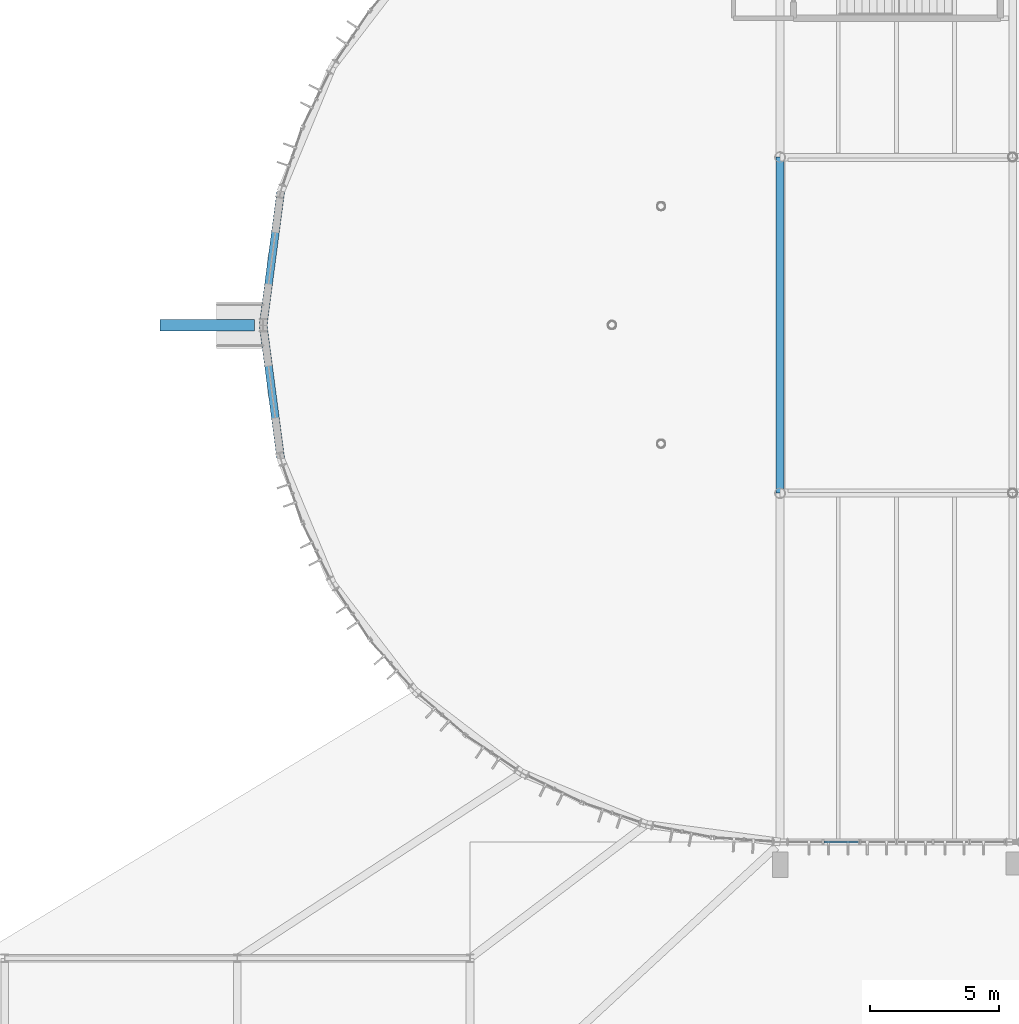
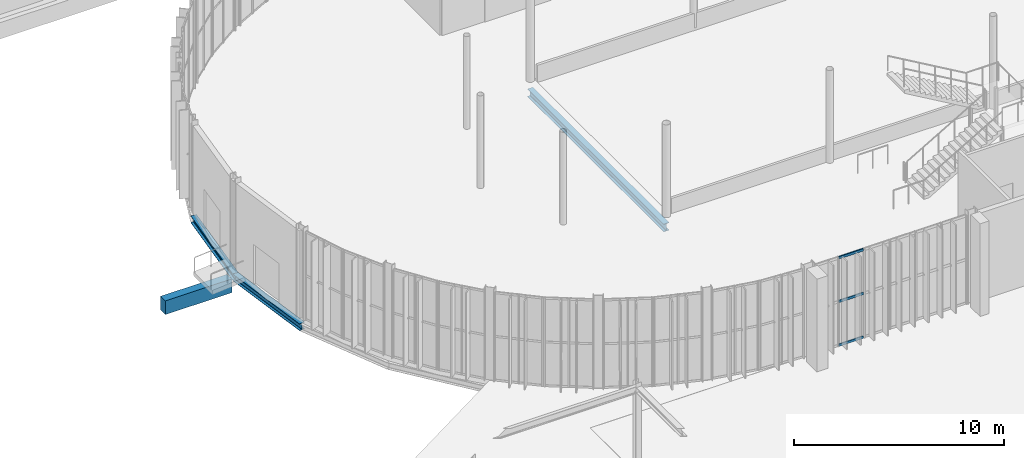
# One storey, part 36 of 158: 4 beams, 3 members, 1 element without a shape of its own.
"""IFC4 building model written with IfcOpenShell, lengths in metres."""

from ifc_helpers import new_model, si_unit, derived_unit, direction, frame, origin, origin_2d, place, context, subcontext, project, spatial, rectangle, hollow_rectangle, i_section, extrude, material, material_profile, profile_set, type_object, element, aggregate, save


model = new_model("IFC4")

# Units and contexts
model_context = context("Model", 3, precision=1e-05, world=origin(), true_north=direction((0.0, 1.0)))
body_context = subcontext(model_context, "Body", "Model", "MODEL_VIEW")
ifc_project = project(units=[si_unit("LENGTHUNIT", "METRE"), si_unit("AREAUNIT", "SQUARE_METRE"), si_unit("VOLUMEUNIT", "CUBIC_METRE"), si_unit("PLANEANGLEUNIT", "RADIAN"), si_unit("MASSUNIT", "GRAM", prefix="KILO"), si_unit("THERMODYNAMICTEMPERATUREUNIT", "KELVIN"), si_unit("TIMEUNIT", "SECOND"), derived_unit("THERMALTRANSMITTANCEUNIT", [(si_unit("MASSUNIT", "GRAM", prefix="KILO"), 1), (si_unit("THERMODYNAMICTEMPERATUREUNIT", "KELVIN"), -1), (si_unit("TIMEUNIT", "SECOND"), -3)])], contexts=[model_context])

# Site, building, storey
site_placement = place(None, origin())
site = spatial("IfcSite", under=ifc_project, at=site_placement, CompositionType="ELEMENT")
building_placement = place(site_placement, origin())
building = spatial("IfcBuilding", under=site, at=building_placement, Name="Cambertide Market Hall", CompositionType="ELEMENT")
storey_placement = place(building_placement, origin())
storey = spatial("IfcBuildingStorey", under=building, at=storey_placement, Name="L01", CompositionType="ELEMENT", Elevation=0.0)

# Beam
ifc_material_1 = material(Name="Concrete B35", Category="concrete")
ifc_material_profile_1 = material_profile(ifc_material_1, rectangle(XDim=0.449951171875, YDim=0.800048828125, at=origin_2d()), Name="RC 450x800")
ifc_profile_set_1 = profile_set([ifc_material_profile_1], Name="Concrete B35")
beam_type_1 = type_object("IfcBeamType", Name="Concrete Girder RC 450x800", PredefinedType="BEAM", material=ifc_profile_set_1)
beam_1_placement = place(storey_placement, frame((18.0, 72.0, -0.794921875), z_axis=(1.0, 0.0, 0.0), x_axis=(0.0, 1.0, 0.0)))
element("IfcBeam", 1, at=beam_1_placement, inside=storey, type_object=beam_type_1, Name="Level 1 Beam BM-PR01-SUP", PredefinedType="BEAM", context=body_context, shape_type="SweptSolid", body=[
    extrude(rectangle(XDim=0.449951171875, YDim=0.800048828125, at=origin_2d()), origin(), (0.0, 0.0, 1.0), 3.6669921875),
])

# Curtain wall, members
ifc_material_2 = material(Name="Marine Anodized Aluminium 6063-T6 AA25", Category="aluminium")
curtain_wall_type = type_object("IfcCurtainWallType", Name="Lantern Straight Lower Curtain Wall", PredefinedType="USERDEFINED", material=ifc_material_2)
curtain_wall_placement = place(storey_placement, origin())
curtain_wall = element("IfcCurtainWall", 2, at=curtain_wall_placement, inside=storey, type_object=curtain_wall_type, Name="Level 1 Curtain Wall CW-V1S-L01-1", ObjectType="UNITIZED CURTAIN WALL", PredefinedType="USERDEFINED")
ifc_material_3 = material(Name="Champagne Marine Anodized Aluminium 6063-T6 AA25", Category="aluminium")
ifc_material_profile_2 = material_profile(ifc_material_3, hollow_rectangle(XDim=0.06494140625, YDim=0.139892578125, WallThickness=0.00341796875, at=origin_2d()), Name="ALU TRANSOM 65x140")
ifc_profile_set_2 = profile_set([ifc_material_profile_2], Name="Champagne Marine Anodized Aluminium 6063-T6 AA25")
member_type = type_object("IfcMemberType", Name="Curtain Wall Transom ALU TRANSOM 65x140", PredefinedType="USERDEFINED", material=ifc_profile_set_2)
member_1_placement = place(storey_placement, frame((45.043212890625, 52.0, 0.034912109375), z_axis=(-1.0, 0.0, 0.0), x_axis=(0.0, -1.0, 0.0)))
member_1 = element("IfcMember", 3, at=member_1_placement, type_object=member_type, Name="CW-V1S-L01-1 Transom 1-5", ObjectType="TRANSOM", PredefinedType="USERDEFINED", context=body_context, shape_type="SweptSolid", body=[
    extrude(hollow_rectangle(XDim=0.06494140625, YDim=0.139892578125, WallThickness=0.00341796875, at=origin_2d()), origin(), (0.0, 0.0, 1.0), 1.33642578125),
])
member_2_placement = place(storey_placement, frame((45.043212890625, 52.0, 2.580078125), z_axis=(-1.0, 0.0, 0.0), x_axis=(0.0, -1.0, 0.0)))
member_2 = element("IfcMember", 4, at=member_2_placement, type_object=member_type, Name="CW-V1S-L01-1 Transom 2-5", ObjectType="TRANSOM", PredefinedType="USERDEFINED", context=body_context, shape_type="SweptSolid", body=[
    extrude(hollow_rectangle(XDim=0.06494140625, YDim=0.139892578125, WallThickness=0.00341796875, at=origin_2d()), origin(), (0.0, 0.0, 1.0), 1.33642578125),
])
member_3_placement = place(storey_placement, frame((45.043212890625, 52.0, 5.125), z_axis=(-1.0, 0.0, 0.0), x_axis=(0.0, -1.0, 0.0)))
member_3 = element("IfcMember", 5, at=member_3_placement, type_object=member_type, Name="CW-V1S-L01-1 Transom 3-5", ObjectType="TRANSOM", PredefinedType="USERDEFINED", context=body_context, shape_type="SweptSolid", body=[
    extrude(hollow_rectangle(XDim=0.06494140625, YDim=0.139892578125, WallThickness=0.00341796875, at=origin_2d()), origin(), (0.0, 0.0, 1.0), 1.33642578125),
])
aggregate(curtain_wall, [member_1, member_2, member_3])

# Beams
ifc_material_4 = material(Name="Steel S355", Category="steel")
ifc_material_profile_3 = material_profile(ifc_material_4, i_section(OverallWidth=0.300048828125, OverallDepth=0.39990234375, WebThickness=0.013427734375, FlangeThickness=0.02392578125, FilletRadius=0.027099609375, at=origin_2d()), Name="HEB 400")
ifc_profile_set_3 = profile_set([ifc_material_profile_3], Name="Steel S355")
beam_type_2 = type_object("IfcBeamType", Name="Steel Girder HEB 400", PredefinedType="BEAM", material=ifc_profile_set_3)
for number, where, z_axis, x_axis, name in (
    (6, (22.681396484375, 77.17626953125, -0.510009765625), (-0.130512574825, -0.991446654043, 0.0), (0.991446654043, -0.130512574825, 0.0), "Level 1 Beam BM-V1AW-L01-6"),
    (7, (22.0, 72.0, -0.510009765625), (0.130512574825, -0.991446654043, 0.0), (0.991446654043, 0.130512574825, 0.0), "Level 1 Beam BM-V1AW-L01-7"),
):
    element("IfcBeam", number, at=place(storey_placement, frame(where, z_axis=z_axis, x_axis=x_axis)), inside=storey, type_object=beam_type_2, Name=name, PredefinedType="BEAM", context=body_context, shape_type="SweptSolid", body=[
        extrude(i_section(OverallWidth=0.300048828125, OverallDepth=0.39990234375, WebThickness=0.013427734375, FlangeThickness=0.02392578125, FilletRadius=0.027099609375, at=origin_2d()), origin(), (0.0, 0.0, 1.0), 5.220947265625),
    ])
ifc_material_5 = material(Name="Steel S355", Category="steel")
ifc_material_profile_4 = material_profile(ifc_material_5, i_section(OverallWidth=0.300048828125, OverallDepth=0.449951171875, WebThickness=0.013916015625, FlangeThickness=0.02587890625, FilletRadius=0.027099609375, at=origin_2d()), Name="HEB 450")
ifc_profile_set_4 = profile_set([ifc_material_profile_4], Name="Steel S355")
beam_type_3 = type_object("IfcBeamType", Name="Steel Girder HEB 450", PredefinedType="BEAM", material=ifc_profile_set_4)
beam_2_placement = place(storey_placement, frame((42.0, 65.5, -0.695068359375), z_axis=(0.0, 1.0, 0.0), x_axis=(-1.0, 0.0, 0.0)))
element("IfcBeam", 8, at=beam_2_placement, inside=storey, type_object=beam_type_3, Name="Level 1 Beam BM-V1TC-L01-1", PredefinedType="BEAM", context=body_context, shape_type="SweptSolid", body=[
    extrude(i_section(OverallWidth=0.300048828125, OverallDepth=0.449951171875, WebThickness=0.013916015625, FlangeThickness=0.02587890625, FilletRadius=0.027099609375, at=origin_2d()), origin(), (0.0, 0.0, 1.0), 13.0),
])

save(model, "model.ifc")
